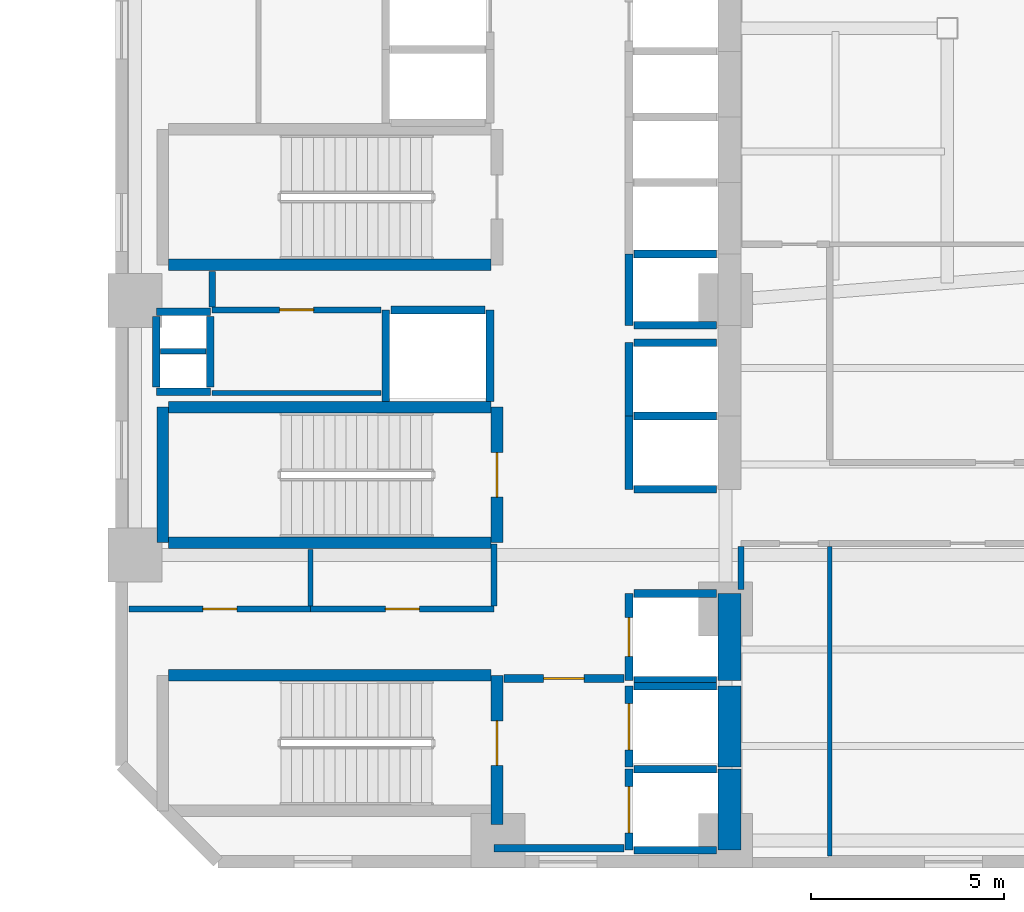
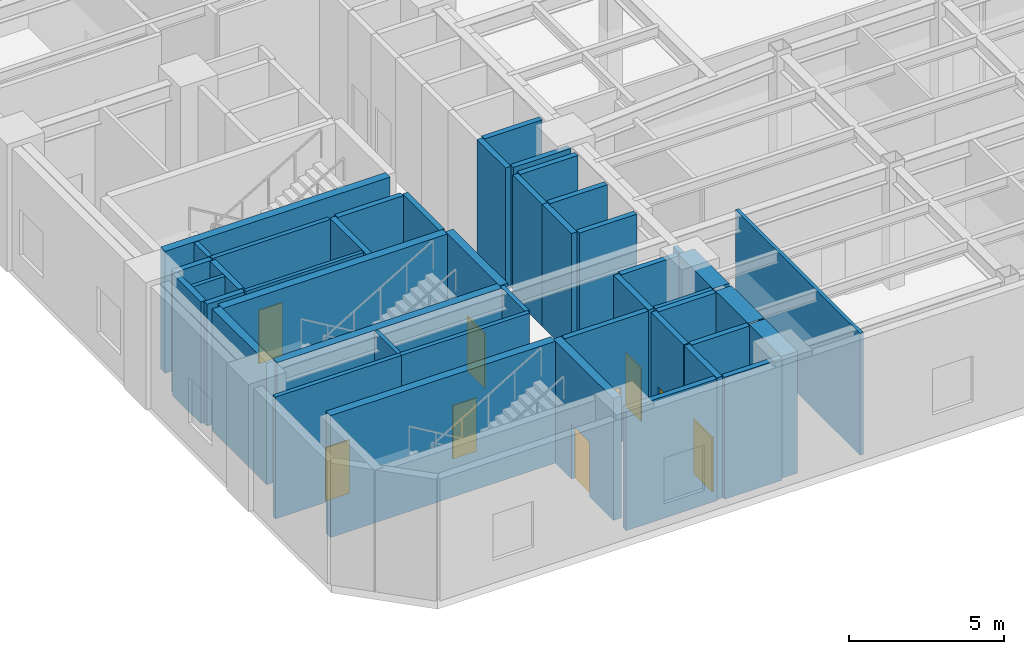
# One storey, part 3 of 10: 45 walls, 9 doors, 9 openings.
"""IFC4 building model written with IfcOpenShell, lengths in metres."""

import ifcopenshell
import ifcopenshell.guid

model = None  # the IFC model being written
_history = None  # IfcOwnerHistory: only IFC2X3 demands one
_inside = {}  # id of a spatial element -> (the spatial element, [elements in it])
_under = {}  # id of a project, library or spatial element -> (it, [spatial elements below it])
_declared = {}  # id of a project -> (the project, [libraries it declares])
_typed = {}  # id of a type object -> (the type object, [elements of that type])
_made_of = {}  # id of a material, layer set ... -> (it, [elements and type objects made of it])


def new_model(schema):
    """Start an empty IFC model of exactly this schema.

    Asked for "IFC4X3", IfcOpenShell would pick the latest addendum, in which some entities
    have other attributes; the version numbers below select the first issue.
    IFC2X3 requires an IfcOwnerHistory on every rooted entity: one is made here for all.
    """
    global model, _history
    if schema == "IFC4X3":
        model = ifcopenshell.file(schema_version=(4, 3, 0, 0))
    else:
        model = ifcopenshell.file(schema=schema)
    _inside.clear()
    _under.clear()
    _declared.clear()
    _typed.clear()
    _made_of.clear()
    _history = None
    if model.schema == "IFC2X3":
        org = make("IfcOrganization", Name="unknown")
        user = make(
            "IfcPersonAndOrganization",
            ThePerson=make("IfcPerson", FamilyName="unknown"),
            TheOrganization=org,
        )
        app = make(
            "IfcApplication",
            ApplicationDeveloper=org,
            Version="unknown",
            ApplicationFullName="unknown",
            ApplicationIdentifier="unknown",
        )
        _history = make(
            "IfcOwnerHistory",
            OwningUser=user,
            OwningApplication=app,
            ChangeAction="ADDED",
            CreationDate=0,
        )
    return model


def make(cls, **values):
    """One entity of the class cls with the attributes given. An attribute that is None is left unset."""
    return model.create_entity(
        cls, **{name: value for name, value in values.items() if value is not None}
    )


def rooted(cls, **values):
    """An entity with a GlobalId (a new one), such as an element, a storey or a relation."""
    return make(cls, GlobalId=ifcopenshell.guid.new(), OwnerHistory=_history, **values)


def si_unit(unit_type, name, prefix=None):
    """IfcSIUnit, for example si_unit("LENGTHUNIT", "METRE", prefix="MILLI")."""
    return make("IfcSIUnit", UnitType=unit_type, Prefix=prefix, Name=name)


def assignment(units):
    """IfcUnitAssignment: the units of a project."""
    return None if units is None else make("IfcUnitAssignment", Units=units)


def point(xyz):
    """IfcCartesianPoint."""
    return None if xyz is None else make("IfcCartesianPoint", Coordinates=xyz)


def direction(xyz):
    """IfcDirection."""
    return None if xyz is None else make("IfcDirection", DirectionRatios=xyz)


def frame(location, z_axis=None, x_axis=None):
    """IfcAxis2Placement3D, a coordinate frame: its origin and axes. An axis left out is left unset."""
    return make(
        "IfcAxis2Placement3D",
        Location=point(location),
        Axis=direction(z_axis),
        RefDirection=direction(x_axis),
    )


def frame_2d(location, x_axis=None):
    """IfcAxis2Placement2D, a coordinate frame in the plane: its origin and x axis."""
    return make(
        "IfcAxis2Placement2D", Location=point(location), RefDirection=direction(x_axis)
    )


def origin():
    """The frame at (0, 0, 0) with its axes left unset."""
    return frame((0.0, 0.0, 0.0))


def place(relative_to, where):
    """IfcLocalPlacement: puts the frame where relative to a parent placement (None: the world)."""
    return make(
        "IfcLocalPlacement", PlacementRelTo=relative_to, RelativePlacement=where
    )


def context(
    kind, dimensions, precision=None, world=None, true_north=None, identifier=None
):
    """IfcGeometricRepresentationContext, for example the 3D "Model" context."""
    return make(
        "IfcGeometricRepresentationContext",
        ContextIdentifier=identifier,
        ContextType=kind,
        CoordinateSpaceDimension=dimensions,
        Precision=precision,
        WorldCoordinateSystem=world,
        TrueNorth=true_north,
    )


def subcontext(parent, identifier, kind, view, scale=None):
    """IfcGeometricRepresentationSubContext, for example "Body" below "Model"."""
    return make(
        "IfcGeometricRepresentationSubContext",
        ContextIdentifier=identifier,
        ContextType=kind,
        ParentContext=parent,
        TargetScale=scale,
        TargetView=view,
    )


def project(units=None, contexts=None):
    """IfcProject with its units and contexts."""
    return rooted(
        "IfcProject",
        Name="project",
        RepresentationContexts=contexts,
        UnitsInContext=assignment(units),
    )


def spatial(cls, under=None, at=None, **own):
    """A site, building, storey or space (cls), placed at a placement, below another one or the project."""
    s = rooted(cls, ObjectPlacement=at, **own)
    if under is not None:
        _under.setdefault(under.id(), (under, []))[1].append(s)
    return s


def profile(cls, at=None, kind="AREA", **sizes):
    """A parametric profile (cls). Its sizes go by their IFC names, for example OverallWidth=200.0."""
    return make(cls, ProfileType=kind, Position=at, **sizes)


def rectangle(**sizes):
    """IfcRectangleProfileDef."""
    return profile("IfcRectangleProfileDef", **sizes)


def extrude(swept, where, along, depth):
    """IfcExtrudedAreaSolid: the profile swept, set in the frame where, extruded along a direction by depth."""
    return make(
        "IfcExtrudedAreaSolid",
        SweptArea=swept,
        Position=where,
        ExtrudedDirection=direction(along),
        Depth=depth,
    )


def shape(context_of_items, identifier, shape_type, items):
    """IfcShapeRepresentation: the items that make up one representation, for example the "Body"."""
    return make(
        "IfcShapeRepresentation",
        ContextOfItems=context_of_items,
        RepresentationIdentifier=identifier,
        RepresentationType=shape_type,
        Items=items,
    )


def material(Name=None, Category=None):
    """IfcMaterial."""
    return make("IfcMaterial", Name=Name, Category=Category)


def layer(
    of_material, thickness, ventilated=None, Name=None, Category=None, Priority=None
):
    """IfcMaterialLayer: one layer of a wall or slab, of a material (None: an air gap)."""
    return make(
        "IfcMaterialLayer",
        Material=of_material,
        LayerThickness=thickness,
        IsVentilated=ventilated,
        Name=Name,
        Category=Category,
        Priority=Priority,
    )


def layer_set(layers, Name=None):
    """IfcMaterialLayerSet."""
    return make("IfcMaterialLayerSet", MaterialLayers=layers, LayerSetName=Name)


def made_of(thing, what):
    """Note that an element or type object is made of a material, layer set ...; save() writes the relation."""
    if what is not None:
        _made_of.setdefault(what.id(), (what, []))[1].append(thing)
    return thing


def type_object(cls, material=None, **own):
    """A type object (cls), such as IfcWallType, which elements share."""
    return made_of(rooted(cls, **own), material)


def element(
    cls,
    number,
    at=None,
    inside=None,
    cuts=None,
    type_object=None,
    material=None,
    context=None,
    identifier="Body",
    shape_type=None,
    held_by="IfcProductDefinitionShape",
    body=None,
    shapes=None,
    **own,
):
    """One element of the class cls, such as IfcWall. Its Tag is "e" and its number.

    at: its placement. inside: the storey or other place that contains it. cuts: it is an
    opening in that element (IfcRelVoidsElement). A single representation is given by context,
    identifier, shape_type and body (its items); several are given by shapes. held_by: the class
    of the entity that holds the representations. save() writes the other relations.
    """
    e = rooted(cls, Tag="e%d" % number, ObjectPlacement=at, **own)
    if body is not None:
        shapes = [shape(context, identifier, shape_type, body)]
    if shapes is not None:
        e.Representation = make(held_by, Representations=shapes)
    if inside is not None:
        _inside.setdefault(inside.id(), (inside, []))[1].append(e)
    if cuts is not None:
        rooted(
            "IfcRelVoidsElement", RelatingBuildingElement=cuts, RelatedOpeningElement=e
        )
    if type_object is not None:
        _typed.setdefault(type_object.id(), (type_object, []))[1].append(e)
    return made_of(e, material)


def fill(opening, filler):
    """IfcRelFillsElement: the door or window that sits in an opening."""
    return rooted(
        "IfcRelFillsElement",
        RelatingOpeningElement=opening,
        RelatedBuildingElement=filler,
    )


def aggregate(whole, parts):
    """IfcRelAggregates: a whole, such as a stair, and the parts it consists of."""
    return rooted("IfcRelAggregates", RelatingObject=whole, RelatedObjects=parts)


def save(model, path):
    """Write the relations noted so far, then the file.

    IfcRelAggregates (storeys below a building ...), IfcRelContainedInSpatialStructure (elements
    in a storey), IfcRelDefinesByType, IfcRelAssociatesMaterial and IfcRelDeclares: one each for
    every whole, place, type object, material and project.
    """
    for whole, parts in _under.values():
        aggregate(whole, parts)
    for where, things in _inside.values():
        rooted(
            "IfcRelContainedInSpatialStructure",
            RelatedElements=things,
            RelatingStructure=where,
        )
    for kind, things in _typed.values():
        rooted("IfcRelDefinesByType", RelatedObjects=things, RelatingType=kind)
    for what, things in _made_of.values():
        rooted("IfcRelAssociatesMaterial", RelatedObjects=things, RelatingMaterial=what)
    for by, libraries in _declared.values():
        rooted("IfcRelDeclares", RelatingContext=by, RelatedDefinitions=libraries)
    model.write(path)


model = new_model("IFC4")

# Units and contexts
model_context = context("Model", 3, precision=1e-05, world=origin(), true_north=direction((0.0, 1.0)))
body_context = subcontext(model_context, "Body", "Model", "MODEL_VIEW")
ifc_project = project(units=[si_unit("LENGTHUNIT", "METRE"), si_unit("AREAUNIT", "SQUARE_METRE"), si_unit("VOLUMEUNIT", "CUBIC_METRE"), si_unit("PLANEANGLEUNIT", "RADIAN"), si_unit("MASSUNIT", "GRAM", prefix="KILO")], contexts=[model_context])

# Site, building, storey
site_placement = place(None, origin())
site = spatial("IfcSite", under=ifc_project, at=site_placement, CompositionType="ELEMENT")
building_placement = place(site_placement, origin())
building = spatial("IfcBuilding", under=site, at=building_placement, Name="Mawjaban Terraces University", CompositionType="ELEMENT")
storey_placement = place(building_placement, frame((0.0, 0.0, 26.0)))
storey = spatial("IfcBuildingStorey", under=building, at=storey_placement, Name="L05", CompositionType="ELEMENT", Elevation=26.0)

# Walls
ifc_material_1 = material(Name="Concrete C70/85", Category="concrete")
ifc_layer_1 = layer(ifc_material_1, 0.60009765625)
ifc_layer_set_1 = layer_set([ifc_layer_1], Name="Concrete C70/85")
wall_type_1 = type_object("IfcWallType", Name="CoreShearWall_600", PredefinedType="SHEAR", material=ifc_layer_set_1)
wall_1_placement = place(storey_placement, frame((37.75, 0.300048828125, 0.0), z_axis=(0.0, 0.0, 1.0), x_axis=(0.0, 1.0, 0.0)))
element("IfcWall", 1, at=wall_1_placement, inside=storey, type_object=wall_type_1, Name="L05 Lift FL-1 Hoistway Wall East", PredefinedType="SHEAR", context=body_context, shape_type="SweptSolid", body=[
    extrude(rectangle(XDim=2.099853515625, YDim=0.60009765625, at=frame_2d((1.0498046875, 0.0))), origin(), (0.0, 0.0, 1.0), 4.7900390625),
])
wall_2_placement = place(storey_placement, frame((37.75, 2.449951171875, 0.0), z_axis=(0.0, 0.0, 1.0), x_axis=(0.0, 1.0, 0.0)))
element("IfcWall", 2, at=wall_2_placement, inside=storey, type_object=wall_type_1, Name="L05 Lift FL-2 Hoistway Wall East", PredefinedType="SHEAR", context=body_context, shape_type="SweptSolid", body=[
    extrude(rectangle(XDim=2.10009765625, YDim=0.60009765625, at=frame_2d((1.050048828125, 0.0))), origin(), (0.0, 0.0, 1.0), 4.7900390625),
])
wall_3_placement = place(storey_placement, frame((37.75, 4.699951171875, 0.0), z_axis=(0.0, 0.0, 1.0), x_axis=(0.0, 1.0, 0.0)))
element("IfcWall", 3, at=wall_3_placement, inside=storey, type_object=wall_type_1, Name="L05 Lift SL-1 Hoistway Wall East", PredefinedType="SHEAR", context=body_context, shape_type="SweptSolid", body=[
    extrude(rectangle(XDim=2.25, YDim=0.60009765625, at=frame_2d((1.125, 0.0))), origin(), (0.0, 0.0, 1.0), 4.7900390625),
])

# Wall, opening, door
ifc_material_2 = material(Name="Fire-rated gypsum board on steel stud", Category="steel")
ifc_layer_2 = layer(ifc_material_2, 0.159912109375)
ifc_layer_set_2 = layer_set([ifc_layer_2], Name="Fire-rated gypsum board on steel stud")
wall_type_2 = type_object("IfcWallType", Name="CorridorPartition_160", PredefinedType="PARTITIONING", material=ifc_layer_set_2)
wall_4_placement = place(storey_placement, frame((24.35009765625, 14.300048828125, 0.0), z_axis=(0.0, 0.0, 1.0), x_axis=(1.0, 0.0, 0.0)))
wall_4 = element("IfcWall", 4, at=wall_4_placement, inside=storey, type_object=wall_type_2, Name="L05 Core Riser Access Passage Partition 2", PredefinedType="PARTITIONING", context=body_context, shape_type="SweptSolid", body=[
    extrude(rectangle(XDim=4.369873046875, YDim=0.159912109375, at=frame_2d((2.18505859375, 0.0))), origin(), (0.0, 0.0, 1.0), 4.7900390625),
])
opening_1_placement = place(wall_4_placement, frame((1.7451171875, 0.0, 0.0)))
opening_1 = element("IfcOpeningElement", 5, at=opening_1_placement, cuts=wall_4, Name="Opening ID-088", PredefinedType="OPENING", context=body_context, shape_type="SweptSolid", body=[
    extrude(rectangle(XDim=0.8798828125, YDim=2.10009765625, at=frame_2d((0.43994140625, 1.050048828125))), frame((0.0, 0.08984375, 0.0), z_axis=(0.0, -1.0, 0.0), x_axis=(1.0, 0.0, 0.0)), (0.0, 0.0, 1.0), 0.179931640625),
])
ifc_material_3 = material(Name="Powder-coated steel frame and solid acoustic timber leaf", Category="steel")
door_type_1 = type_object("IfcDoorType", Name="ToiletDoor_880x2100", OperationType="NOTDEFINED", PredefinedType="DOOR", material=ifc_material_3)
door_1_placement = place(opening_1_placement, origin())
door_1 = element("IfcDoor", 6, at=door_1_placement, inside=storey, type_object=door_type_1, Name="L05 Ablution Room Door", OperationType="SINGLE_SWING_LEFT", OverallHeight=2.10009765625, OverallWidth=0.8798828125, PredefinedType="DOOR", context=body_context, shape_type="SweptSolid", body=[
    extrude(rectangle(XDim=0.8798828125, YDim=2.10009765625, at=frame_2d((0.43994140625, 1.050048828125))), frame((0.0, 0.02490234375, 0.0), z_axis=(0.0, -1.0, 0.0), x_axis=(1.0, 0.0, 0.0)), (0.0, 0.0, 1.0), 0.050048828125),
])
fill(opening_1, door_1)

wall_5_placement = place(storey_placement, frame((26.89990234375, 6.550048828125, 0.0), z_axis=(0.0, 0.0, 1.0), x_axis=(-1.0, 0.0, 0.0)))
wall_5 = element("IfcWall", 7, at=wall_5_placement, inside=storey, type_object=wall_type_2, Name="L05 Core Washroom Lobby Partition 4", PredefinedType="PARTITIONING", context=body_context, shape_type="SweptSolid", body=[
    extrude(rectangle(XDim=4.699951171875, YDim=0.159912109375, at=frame_2d((2.35009765625, 0.0))), origin(), (0.0, 0.0, 1.0), 4.7900390625),
])
opening_2_placement = place(wall_5_placement, frame((1.909912109375, 0.0, 0.0)))
opening_2 = element("IfcOpeningElement", 8, at=opening_2_placement, cuts=wall_5, Name="Opening ID-088", PredefinedType="OPENING", context=body_context, shape_type="SweptSolid", body=[
    extrude(rectangle(XDim=0.8798828125, YDim=2.10009765625, at=frame_2d((0.43994140625, 1.050048828125))), frame((0.0, 0.08984375, 0.0), z_axis=(0.0, -1.0, 0.0), x_axis=(1.0, 0.0, 0.0)), (0.0, 0.0, 1.0), 0.179931640625),
])
door_2_placement = place(opening_2_placement, origin())
door_2 = element("IfcDoor", 9, at=door_2_placement, inside=storey, type_object=door_type_1, Name="L05 Male Toilet Door", OperationType="SINGLE_SWING_LEFT", OverallHeight=2.10009765625, OverallWidth=0.8798828125, PredefinedType="DOOR", context=body_context, shape_type="SweptSolid", body=[
    extrude(rectangle(XDim=0.8798828125, YDim=2.10009765625, at=frame_2d((0.43994140625, 1.050048828125))), frame((0.0, 0.02490234375, 0.0), z_axis=(0.0, -1.0, 0.0), x_axis=(1.0, 0.0, 0.0)), (0.0, 0.0, 1.0), 0.050048828125),
])
fill(opening_2, door_2)

wall_6_placement = place(storey_placement, frame((31.64990234375, 6.550048828125, 0.0), z_axis=(0.0, 0.0, 1.0), x_axis=(-1.0, 0.0, 0.0)))
wall_6 = element("IfcWall", 10, at=wall_6_placement, inside=storey, type_object=wall_type_2, Name="L05 Core Washroom Lobby Partition 11", PredefinedType="PARTITIONING", context=body_context, shape_type="SweptSolid", body=[
    extrude(rectangle(XDim=4.75, YDim=0.159912109375, at=frame_2d((2.375, 0.0))), origin(), (0.0, 0.0, 1.0), 4.7900390625),
])
opening_3_placement = place(wall_6_placement, frame((1.93505859375, 0.0, 0.0)))
opening_3 = element("IfcOpeningElement", 11, at=opening_3_placement, cuts=wall_6, Name="Opening ID-088", PredefinedType="OPENING", context=body_context, shape_type="SweptSolid", body=[
    extrude(rectangle(XDim=0.8798828125, YDim=2.10009765625, at=frame_2d((0.43994140625, 1.050048828125))), frame((0.0, 0.08984375, 0.0), z_axis=(0.0, -1.0, 0.0), x_axis=(1.0, 0.0, 0.0)), (0.0, 0.0, 1.0), 0.179931640625),
])
door_3_placement = place(opening_3_placement, origin())
door_3 = element("IfcDoor", 12, at=door_3_placement, inside=storey, type_object=door_type_1, Name="L05 Accessible Toilet Door", OperationType="SINGLE_SWING_RIGHT", OverallHeight=2.10009765625, OverallWidth=0.8798828125, PredefinedType="DOOR", context=body_context, shape_type="SweptSolid", body=[
    extrude(rectangle(XDim=0.8798828125, YDim=2.10009765625, at=frame_2d((0.43994140625, 1.050048828125))), frame((0.0, 0.02490234375, 0.0), z_axis=(0.0, -1.0, 0.0), x_axis=(1.0, 0.0, 0.0)), (0.0, 0.0, 1.0), 0.050048828125),
])
fill(opening_3, door_3)

# Walls
wall_7_placement = place(storey_placement, frame((24.35009765625, 15.2900390625, 0.0), z_axis=(0.0, 0.0, 1.0), x_axis=(0.0, -1.0, 0.0)))
element("IfcWall", 13, at=wall_7_placement, inside=storey, type_object=wall_type_2, Name="L05 Core Riser Access Passage Partition 29", PredefinedType="PARTITIONING", context=body_context, shape_type="SweptSolid", body=[
    extrude(rectangle(XDim=0.9150390625, YDim=0.159912109375, at=frame_2d((0.45751953125, 0.0))), origin(), (0.0, 0.0, 1.0), 4.7900390625),
])
wall_8_placement = place(storey_placement, frame((31.64990234375, 8.239990234375, 0.0), z_axis=(0.0, 0.0, 1.0), x_axis=(0.0, -1.0, 0.0)))
element("IfcWall", 14, at=wall_8_placement, inside=storey, type_object=wall_type_2, Name="L05 Passenger Lift Lobby Partition 39", PredefinedType="PARTITIONING", context=body_context, shape_type="SweptSolid", body=[
    extrude(rectangle(XDim=1.614990234375, YDim=0.159912109375, at=frame_2d((0.8076171875, 0.0))), origin(), (0.0, 0.0, 1.0), 4.7900390625),
])
wall_9_placement = place(storey_placement, frame((38.050048828125, 7.050048828125, 0.0), z_axis=(0.0, 0.0, 1.0), x_axis=(0.0, 1.0, 0.0)))
element("IfcWall", 15, at=wall_9_placement, inside=storey, type_object=wall_type_2, Name="L05 Core Stair and Lift Lobby East Partition 43", PredefinedType="PARTITIONING", context=body_context, shape_type="SweptSolid", body=[
    extrude(rectangle(XDim=1.125, YDim=0.159912109375, at=frame_2d((0.5625, 0.0))), origin(), (0.0, 0.0, 1.0), 4.155029296875),
])

# Wall, opening, door
ifc_material_4 = material(Name="Concrete C40/50", Category="concrete")
ifc_layer_3 = layer(ifc_material_4, 0.199951171875)
ifc_layer_set_3 = layer_set([ifc_layer_3], Name="Concrete C40/50")
wall_type_3 = type_object("IfcWallType", Name="FireLobbyWall_200", PredefinedType="SOLIDWALL", material=ifc_layer_set_3)
wall_10_placement = place(storey_placement, frame((35.14990234375, 2.39990234375, 0.0), z_axis=(0.0, 0.0, 1.0), x_axis=(0.0, -1.0, 0.0)))
wall_10 = element("IfcWall", 16, at=wall_10_placement, inside=storey, type_object=wall_type_3, Name="L05 Lift FL-1 Hoistway Wall West", PredefinedType="SOLIDWALL", context=body_context, shape_type="SweptSolid", body=[
    extrude(rectangle(XDim=2.099853515625, YDim=0.199951171875, at=frame_2d((1.0498046875, 0.0))), origin(), (0.0, 0.0, 1.0), 4.7900390625),
])
opening_4_placement = place(wall_10_placement, frame((0.449951171875, 0.0, 0.0)))
opening_4 = element("IfcOpeningElement", 17, at=opening_4_placement, cuts=wall_10, Name="Opening LD-FL-1", PredefinedType="OPENING", context=body_context, shape_type="SweptSolid", body=[
    extrude(rectangle(XDim=1.199951171875, YDim=2.14990234375, at=frame_2d((0.60009765625, 1.074951171875))), frame((0.0, 0.10986328125, 0.0), z_axis=(0.0, -1.0, 0.0), x_axis=(1.0, 0.0, 0.0)), (0.0, 0.0, 1.0), 0.219970703125),
])
ifc_material_5 = material(Name="Powder-coated steel frame and fire-rated steel-faced leaf", Category="steel")
door_type_2 = type_object("IfcDoorType", Name="LiftLandingFSAE_1200x2150", OperationType="NOTDEFINED", PredefinedType="DOOR", material=ifc_material_5)
door_4_placement = place(opening_4_placement, origin())
door_4 = element("IfcDoor", 18, at=door_4_placement, inside=storey, type_object=door_type_2, Name="L05 Lift FL-1 Sliding Landing Door", OperationType="DOUBLE_DOOR_SLIDING", OverallHeight=2.14990234375, OverallWidth=1.199951171875, PredefinedType="DOOR", context=body_context, shape_type="SweptSolid", body=[
    extrude(rectangle(XDim=1.199951171875, YDim=2.14990234375, at=frame_2d((0.60009765625, 1.074951171875))), frame((0.0, 0.02490234375, 0.0), z_axis=(0.0, -1.0, 0.0), x_axis=(1.0, 0.0, 0.0)), (0.0, 0.0, 1.0), 0.050048828125),
])
fill(opening_4, door_4)

# Walls
for number, where, z_axis, x_axis, name in (
    (19, (35.280029296875, 0.300048828125, 0.0), (0.0, 0.0, 1.0), (1.0, 0.0, 0.0), "L05 Lift FL-1 Hoistway Wall South"),
    (20, (37.419921875, 2.39990234375, 0.0), (0.0, 0.0, 1.0), (-1.0, 0.0, 0.0), "L05 Lift FL-1 Hoistway Wall North"),
):
    element("IfcWall", number, at=place(storey_placement, frame(where, z_axis=z_axis, x_axis=x_axis)), inside=storey, type_object=wall_type_3, Name=name, PredefinedType="SOLIDWALL", context=body_context, shape_type="SweptSolid", body=[
        extrude(rectangle(XDim=2.139892578125, YDim=0.199951171875, at=frame_2d((1.06982421875, 0.0))), origin(), (0.0, 0.0, 1.0), 4.7900390625),
    ])

# Wall, opening, door
wall_11_placement = place(storey_placement, frame((35.14990234375, 4.550048828125, 0.0), z_axis=(0.0, 0.0, 1.0), x_axis=(0.0, -1.0, 0.0)))
wall_11 = element("IfcWall", 21, at=wall_11_placement, inside=storey, type_object=wall_type_3, Name="L05 Lift FL-2 Hoistway Wall West", PredefinedType="SOLIDWALL", context=body_context, shape_type="SweptSolid", body=[
    extrude(rectangle(XDim=2.10009765625, YDim=0.199951171875, at=frame_2d((1.050048828125, 0.0))), origin(), (0.0, 0.0, 1.0), 4.7900390625),
])
opening_5_placement = place(wall_11_placement, frame((0.449951171875, 0.0, 0.0)))
opening_5 = element("IfcOpeningElement", 22, at=opening_5_placement, cuts=wall_11, Name="Opening LD-FL-2", PredefinedType="OPENING", context=body_context, shape_type="SweptSolid", body=[
    extrude(rectangle(XDim=1.199951171875, YDim=2.14990234375, at=frame_2d((0.60009765625, 1.074951171875))), frame((0.0, 0.10986328125, 0.0), z_axis=(0.0, -1.0, 0.0), x_axis=(1.0, 0.0, 0.0)), (0.0, 0.0, 1.0), 0.219970703125),
])
door_5_placement = place(opening_5_placement, origin())
door_5 = element("IfcDoor", 23, at=door_5_placement, inside=storey, type_object=door_type_2, Name="L05 Lift FL-2 Sliding Landing Door", OperationType="DOUBLE_DOOR_SLIDING", OverallHeight=2.14990234375, OverallWidth=1.199951171875, PredefinedType="DOOR", context=body_context, shape_type="SweptSolid", body=[
    extrude(rectangle(XDim=1.199951171875, YDim=2.14990234375, at=frame_2d((0.60009765625, 1.074951171875))), frame((0.0, 0.02490234375, 0.0), z_axis=(0.0, -1.0, 0.0), x_axis=(1.0, 0.0, 0.0)), (0.0, 0.0, 1.0), 0.050048828125),
])
fill(opening_5, door_5)

# Wall
wall_12_placement = place(storey_placement, frame((37.419921875, 4.550048828125, 0.0), z_axis=(0.0, 0.0, 1.0), x_axis=(-1.0, 0.0, 0.0)))
element("IfcWall", 24, at=wall_12_placement, inside=storey, type_object=wall_type_3, Name="L05 Lift FL-2 Hoistway Wall North", PredefinedType="SOLIDWALL", context=body_context, shape_type="SweptSolid", body=[
    extrude(rectangle(XDim=2.139892578125, YDim=0.199951171875, at=frame_2d((1.06982421875, 0.0))), origin(), (0.0, 0.0, 1.0), 4.7900390625),
])

# Wall, opening, door
wall_13_placement = place(storey_placement, frame((35.14990234375, 6.949951171875, 0.0), z_axis=(0.0, 0.0, 1.0), x_axis=(0.0, -1.0, 0.0)))
wall_13 = element("IfcWall", 25, at=wall_13_placement, inside=storey, type_object=wall_type_3, Name="L05 Lift SL-1 Hoistway Wall West", PredefinedType="SOLIDWALL", context=body_context, shape_type="SweptSolid", body=[
    extrude(rectangle(XDim=2.25, YDim=0.199951171875, at=frame_2d((1.125, 0.0))), origin(), (0.0, 0.0, 1.0), 4.7900390625),
])
opening_6_placement = place(wall_13_placement, frame((0.625, 0.0, 0.0)))
opening_6 = element("IfcOpeningElement", 26, at=opening_6_placement, cuts=wall_13, Name="Opening LD-SL-1", PredefinedType="OPENING", context=body_context, shape_type="SweptSolid", body=[
    extrude(rectangle(XDim=1.0, YDim=2.10009765625, at=frame_2d((0.5, 1.050048828125))), frame((0.0, 0.10986328125, 0.0), z_axis=(0.0, -1.0, 0.0), x_axis=(1.0, 0.0, 0.0)), (0.0, 0.0, 1.0), 0.219970703125),
])
door_type_3 = type_object("IfcDoorType", Name="LiftLandingSliding_1000x2100", OperationType="NOTDEFINED", PredefinedType="DOOR", material=ifc_material_5)
door_6_placement = place(opening_6_placement, origin())
door_6 = element("IfcDoor", 27, at=door_6_placement, inside=storey, type_object=door_type_3, Name="L05 Lift SL-1 Sliding Landing Door", OperationType="DOUBLE_DOOR_SLIDING", OverallHeight=2.10009765625, OverallWidth=1.0, PredefinedType="DOOR", context=body_context, shape_type="SweptSolid", body=[
    extrude(rectangle(XDim=1.0, YDim=2.10009765625, at=frame_2d((0.5, 1.050048828125))), frame((0.0, 0.02490234375, 0.0), z_axis=(0.0, -1.0, 0.0), x_axis=(1.0, 0.0, 0.0)), (0.0, 0.0, 1.0), 0.050048828125),
])
fill(opening_6, door_6)

# Walls
for number, where, z_axis, x_axis, name in (
    (28, (35.280029296875, 4.699951171875, 0.0), (0.0, 0.0, 1.0), (1.0, 0.0, 0.0), "L05 Lift SL-1 Hoistway Wall South"),
    (29, (37.419921875, 6.949951171875, 0.0), (0.0, 0.0, 1.0), (-1.0, 0.0, 0.0), "L05 Lift SL-1 Hoistway Wall North"),
):
    element("IfcWall", number, at=place(storey_placement, frame(where, z_axis=z_axis, x_axis=x_axis)), inside=storey, type_object=wall_type_3, Name=name, PredefinedType="SOLIDWALL", context=body_context, shape_type="SweptSolid", body=[
        extrude(rectangle(XDim=2.139892578125, YDim=0.199951171875, at=frame_2d((1.06982421875, 0.0))), origin(), (0.0, 0.0, 1.0), 4.7900390625),
    ])
wall_14_placement = place(storey_placement, frame((35.14990234375, 11.550048828125, 0.0), z_axis=(0.0, 0.0, 1.0), x_axis=(0.0, -1.0, 0.0)))
element("IfcWall", 30, at=wall_14_placement, inside=storey, type_object=wall_type_3, Name="L05 Lift PL-H1 Hoistway Wall West", PredefinedType="SOLIDWALL", context=body_context, shape_type="SweptSolid", body=[
    extrude(rectangle(XDim=1.900146484375, YDim=0.199951171875, at=frame_2d((0.9501953125, 0.0))), origin(), (0.0, 0.0, 1.0), 4.7900390625),
])
for number, where, z_axis, x_axis, name in (
    (31, (35.280029296875, 9.64990234375, 0.0), (0.0, 0.0, 1.0), (1.0, 0.0, 0.0), "L05 Lift PL-H1 Hoistway Wall South"),
    (32, (37.419921875, 11.550048828125, 0.0), (0.0, 0.0, 1.0), (-1.0, 0.0, 0.0), "L05 Lift PL-H1 Hoistway Wall North"),
):
    element("IfcWall", number, at=place(storey_placement, frame(where, z_axis=z_axis, x_axis=x_axis)), inside=storey, type_object=wall_type_3, Name=name, PredefinedType="SOLIDWALL", context=body_context, shape_type="SweptSolid", body=[
        extrude(rectangle(XDim=2.139892578125, YDim=0.199951171875, at=frame_2d((1.06982421875, 0.0))), origin(), (0.0, 0.0, 1.0), 4.7900390625),
    ])
wall_15_placement = place(storey_placement, frame((35.14990234375, 13.449951171875, 0.0), z_axis=(0.0, 0.0, 1.0), x_axis=(0.0, -1.0, 0.0)))
element("IfcWall", 33, at=wall_15_placement, inside=storey, type_object=wall_type_3, Name="L05 Lift PL-H2 Hoistway Wall West", PredefinedType="SOLIDWALL", context=body_context, shape_type="SweptSolid", body=[
    extrude(rectangle(XDim=1.89990234375, YDim=0.199951171875, at=frame_2d((0.949951171875, 0.0))), origin(), (0.0, 0.0, 1.0), 4.7900390625),
])
wall_16_placement = place(storey_placement, frame((37.419921875, 13.449951171875, 0.0), z_axis=(0.0, 0.0, 1.0), x_axis=(-1.0, 0.0, 0.0)))
element("IfcWall", 34, at=wall_16_placement, inside=storey, type_object=wall_type_3, Name="L05 Lift PL-H2 Hoistway Wall North", PredefinedType="SOLIDWALL", context=body_context, shape_type="SweptSolid", body=[
    extrude(rectangle(XDim=2.139892578125, YDim=0.199951171875, at=frame_2d((1.06982421875, 0.0))), origin(), (0.0, 0.0, 1.0), 4.7900390625),
])
for number, where, z_axis, x_axis, name in (
    (35, (28.85009765625, 14.300048828125, 0.0), (0.0, 0.0, 1.0), (0.0, -1.0, 0.0), "L05 Lift PL-H3 Hoistway Wall West"),
    (36, (31.550048828125, 11.929931640625, 0.0), (0.0, 0.0, 1.0), (0.0, 1.0, 0.0), "L05 Lift PL-H3 Hoistway Wall East"),
):
    element("IfcWall", number, at=place(storey_placement, frame(where, z_axis=z_axis, x_axis=x_axis)), inside=storey, type_object=wall_type_3, Name=name, PredefinedType="SOLIDWALL", context=body_context, shape_type="SweptSolid", body=[
        extrude(rectangle(XDim=2.3701171875, YDim=0.199951171875, at=frame_2d((1.18505859375, 0.0))), origin(), (0.0, 0.0, 1.0), 4.7900390625),
    ])
wall_17_placement = place(storey_placement, frame((31.419921875, 14.300048828125, 0.0), z_axis=(0.0, 0.0, 1.0), x_axis=(-1.0, 0.0, 0.0)))
element("IfcWall", 37, at=wall_17_placement, inside=storey, type_object=wall_type_3, Name="L05 Lift PL-H3 Hoistway Wall North", PredefinedType="SOLIDWALL", context=body_context, shape_type="SweptSolid", body=[
    extrude(rectangle(XDim=2.43994140625, YDim=0.199951171875, at=frame_2d((1.219970703125, 0.0))), origin(), (0.0, 0.0, 1.0), 4.7900390625),
])
wall_18_placement = place(storey_placement, frame((35.14990234375, 15.75, 0.0), z_axis=(0.0, 0.0, 1.0), x_axis=(0.0, -1.0, 0.0)))
element("IfcWall", 38, at=wall_18_placement, inside=storey, type_object=wall_type_3, Name="L05 Lift OL-1 Hoistway Wall West", PredefinedType="SOLIDWALL", context=body_context, shape_type="SweptSolid", body=[
    extrude(rectangle(XDim=1.85009765625, YDim=0.199951171875, at=frame_2d((0.925048828125, 0.0))), origin(), (0.0, 0.0, 1.0), 4.7900390625),
])
for number, where, z_axis, x_axis, name in (
    (39, (35.280029296875, 13.89990234375, 0.0), (0.0, 0.0, 1.0), (1.0, 0.0, 0.0), "L05 Lift OL-1 Hoistway Wall South"),
    (40, (37.419921875, 15.75, 0.0), (0.0, 0.0, 1.0), (-1.0, 0.0, 0.0), "L05 Lift OL-1 Hoistway Wall North"),
):
    element("IfcWall", number, at=place(storey_placement, frame(where, z_axis=z_axis, x_axis=x_axis)), inside=storey, type_object=wall_type_3, Name=name, PredefinedType="SOLIDWALL", context=body_context, shape_type="SweptSolid", body=[
        extrude(rectangle(XDim=2.139892578125, YDim=0.199951171875, at=frame_2d((1.06982421875, 0.0))), origin(), (0.0, 0.0, 1.0), 4.7900390625),
    ])
for number, where, z_axis, x_axis, name in (
    (41, (22.89990234375, 14.25, 0.0), (0.0, 0.0, 1.0), (1.0, 0.0, 0.0), "L05 MEP Riser Shaft Wall N"),
    (42, (22.89990234375, 12.179931640625, 0.0), (0.0, 0.0, 1.0), (1.0, 0.0, 0.0), "L05 MEP Riser Shaft Wall S"),
):
    element("IfcWall", number, at=place(storey_placement, frame(where, z_axis=z_axis, x_axis=x_axis)), inside=storey, type_object=wall_type_3, Name=name, PredefinedType="SOLIDWALL", context=body_context, shape_type="SweptSolid", body=[
        extrude(rectangle(XDim=1.400146484375, YDim=0.199951171875, at=frame_2d((0.7001953125, 0.0))), origin(), (0.0, 0.0, 1.0), 4.7900390625),
    ])
for number, where, z_axis, x_axis, name in (
    (43, (24.300048828125, 12.300048828125, 0.0), (0.0, 0.0, 1.0), (0.0, 1.0, 0.0), "L05 MEP Riser Shaft Wall E"),
    (44, (22.89990234375, 12.300048828125, 0.0), (0.0, 0.0, 1.0), (0.0, 1.0, 0.0), "L05 MEP Riser Shaft Wall W"),
):
    element("IfcWall", number, at=place(storey_placement, frame(where, z_axis=z_axis, x_axis=x_axis)), inside=storey, type_object=wall_type_3, Name=name, PredefinedType="SOLIDWALL", context=body_context, shape_type="SweptSolid", body=[
        extrude(rectangle(XDim=1.829833984375, YDim=0.199951171875, at=frame_2d((0.9150390625, 0.0))), origin(), (0.0, 0.0, 1.0), 4.7900390625),
    ])
wall_19_placement = place(storey_placement, frame((31.64990234375, 0.35009765625, 0.0), z_axis=(0.0, 0.0, 1.0), x_axis=(1.0, 0.0, 0.0)))
element("IfcWall", 45, at=wall_19_placement, inside=storey, type_object=wall_type_3, Name="L05 Firefighting Lift Lobby Partition 10", PredefinedType="SOLIDWALL", context=body_context, shape_type="SweptSolid", body=[
    extrude(rectangle(XDim=3.3701171875, YDim=0.199951171875, at=frame_2d((1.68505859375, 0.0))), origin(), (0.0, 0.0, 1.0), 4.7900390625),
])

# Wall, opening, door
wall_20_placement = place(storey_placement, frame((35.02001953125, 4.75, 0.0), z_axis=(0.0, 0.0, 1.0), x_axis=(-1.0, 0.0, 0.0)))
wall_20 = element("IfcWall", 46, at=wall_20_placement, inside=storey, type_object=wall_type_3, Name="L05 Firefighting Lift Lobby Partition 12", PredefinedType="SOLIDWALL", context=body_context, shape_type="SweptSolid", body=[
    extrude(rectangle(XDim=3.110107421875, YDim=0.199951171875, at=frame_2d((1.55517578125, 0.0))), origin(), (0.0, 0.0, 1.0), 4.7900390625),
])
opening_7_placement = place(wall_20_placement, frame((1.030029296875, 0.0, 0.0)))
opening_7 = element("IfcOpeningElement", 47, at=opening_7_placement, cuts=wall_20, Name="Opening FD-105", PredefinedType="OPENING", context=body_context, shape_type="SweptSolid", body=[
    extrude(rectangle(XDim=1.050048828125, YDim=2.14990234375, at=frame_2d((0.52490234375, 1.074951171875))), frame((0.0, 0.10986328125, 0.0), z_axis=(0.0, -1.0, 0.0), x_axis=(1.0, 0.0, 0.0)), (0.0, 0.0, 1.0), 0.219970703125),
])
door_type_4 = type_object("IfcDoorType", Name="FireLobbyDoor_1050x2150", OperationType="NOTDEFINED", PredefinedType="DOOR", material=ifc_material_5)
door_7_placement = place(opening_7_placement, origin())
door_7 = element("IfcDoor", 48, at=door_7_placement, inside=storey, type_object=door_type_4, Name="L05 Firefighting Lift Lobby Door", OperationType="SINGLE_SWING_RIGHT", OverallHeight=2.14990234375, OverallWidth=1.050048828125, PredefinedType="DOOR", context=body_context, shape_type="SweptSolid", body=[
    extrude(rectangle(XDim=1.050048828125, YDim=2.14990234375, at=frame_2d((0.52490234375, 1.074951171875))), frame((0.0, 0.02490234375, 0.0), z_axis=(0.0, -1.0, 0.0), x_axis=(1.0, 0.0, 0.0)), (0.0, 0.0, 1.0), 0.050048828125),
])
fill(opening_7, door_7)

# Walls
ifc_material_6 = material(Name="Moisture-resistant gypsum board on steel stud", Category="steel")
ifc_layer_4 = layer(ifc_material_6, 0.14501953125)
ifc_layer_set_4 = layer_set([ifc_layer_4], Name="Moisture-resistant gypsum board on steel stud")
wall_type_4 = type_object("IfcWallType", Name="LabPartition_145", PredefinedType="PARTITIONING", material=ifc_layer_set_4)
wall_21_placement = place(storey_placement, frame((23.010009765625, 13.22509765625, 0.0), z_axis=(0.0, 0.0, 1.0), x_axis=(1.0, 0.0, 0.0)))
element("IfcWall", 49, at=wall_21_placement, inside=storey, type_object=wall_type_4, Name="L05 MEP Riser Shaft Wall M", PredefinedType="PARTITIONING", context=body_context, shape_type="SweptSolid", body=[
    extrude(rectangle(XDim=1.179931640625, YDim=0.14501953125, at=frame_2d((0.58984375, 0.0))), origin(), (0.0, 0.0, 1.0), 4.7900390625),
])
ifc_material_7 = material(Name="Gypsum plasterboard on steel stud", Category="steel")
ifc_layer_5 = layer(ifc_material_7, 0.125)
ifc_layer_set_5 = layer_set([ifc_layer_5], Name="Gypsum plasterboard on steel stud")
wall_type_5 = type_object("IfcWallType", Name="OfficePartition_125", PredefinedType="PARTITIONING", material=ifc_layer_set_5)
wall_22_placement = place(storey_placement, frame((40.35009765625, 0.155029296875, 0.0), z_axis=(0.0, 0.0, 1.0), x_axis=(0.0, 1.0, 0.0)))
element("IfcWall", 50, at=wall_22_placement, inside=storey, type_object=wall_type_5, Name="L05 Classroom 1 Partition 45", PredefinedType="PARTITIONING", context=body_context, shape_type="SweptSolid", body=[
    extrude(rectangle(XDim=8.02001953125, YDim=0.125, at=frame_2d((4.010009765625, 0.0))), origin(), (0.0, 0.0, 1.0), 4.7900390625),
])
ifc_material_8 = material(Name="Concrete C60/75", Category="concrete")
ifc_layer_6 = layer(ifc_material_8, 0.300048828125)
ifc_layer_set_6 = layer_set([ifc_layer_6], Name="Concrete C60/75")
wall_type_6 = type_object("IfcWallType", Name="StairShaftWall_300", PredefinedType="SHEAR", material=ifc_layer_set_6)
wall_23_placement = place(storey_placement, frame((31.580078125, 4.830078125, 0.0), z_axis=(0.0, 0.0, 1.0), x_axis=(-1.0, 0.0, 0.0)))
element("IfcWall", 51, at=wall_23_placement, inside=storey, type_object=wall_type_6, Name="L05 ST-1 Stair Shaft Wall 1", PredefinedType="SHEAR", context=body_context, shape_type="SweptSolid", body=[
    extrude(rectangle(XDim=8.360107421875, YDim=0.300048828125, at=frame_2d((4.18017578125, 0.0))), origin(), (0.0, 0.0, 1.0), 4.7900390625),
])

# Wall, opening, door
wall_24_placement = place(storey_placement, frame((31.72998046875, 0.9599609375, 0.0), z_axis=(0.0, 0.0, 1.0), x_axis=(0.0, 1.0, 0.0)))
wall_24 = element("IfcWall", 52, at=wall_24_placement, inside=storey, type_object=wall_type_6, Name="L05 ST-1 Stair Shaft Wall 4", PredefinedType="SHEAR", context=body_context, shape_type="SweptSolid", body=[
    extrude(rectangle(XDim=3.8701171875, YDim=0.300048828125, at=frame_2d((1.93505859375, 0.0))), origin(), (0.0, 0.0, 1.0), 4.7900390625),
])
opening_8_placement = place(wall_24_placement, frame((1.5400390625, 0.0, 0.0)))
opening_8 = element("IfcOpeningElement", 53, at=opening_8_placement, cuts=wall_24, Name="Opening FD-115", PredefinedType="OPENING", context=body_context, shape_type="SweptSolid", body=[
    extrude(rectangle(XDim=1.14990234375, YDim=2.14990234375, at=frame_2d((0.574951171875, 1.074951171875))), frame((0.0, 0.159912109375, 0.0), z_axis=(0.0, -1.0, 0.0), x_axis=(1.0, 0.0, 0.0)), (0.0, 0.0, 1.0), 0.320068359375),
])
door_type_5 = type_object("IfcDoorType", Name="FireStairDoor_1150x2150", OperationType="NOTDEFINED", PredefinedType="DOOR", material=ifc_material_5)
door_8_placement = place(opening_8_placement, origin())
door_8 = element("IfcDoor", 54, at=door_8_placement, inside=storey, type_object=door_type_5, Name="L05 ST-1 Pressurised Stair Fire Door", OperationType="SINGLE_SWING_LEFT", OverallHeight=2.14990234375, OverallWidth=1.14990234375, PredefinedType="DOOR", context=body_context, shape_type="SweptSolid", body=[
    extrude(rectangle(XDim=1.14990234375, YDim=2.14990234375, at=frame_2d((0.574951171875, 1.074951171875))), frame((0.0, 0.02490234375, 0.0), z_axis=(0.0, -1.0, 0.0), x_axis=(1.0, 0.0, 0.0)), (0.0, 0.0, 1.0), 0.050048828125),
])
fill(opening_8, door_8)

# Walls
for number, where, z_axis, x_axis, name in (
    (55, (23.219970703125, 15.469970703125, 0.0), (0.0, 0.0, 1.0), (1.0, 0.0, 0.0), "L05 ST-2 Stair Shaft Wall 3"),
    (56, (31.580078125, 11.780029296875, 0.0), (0.0, 0.0, 1.0), (-1.0, 0.0, 0.0), "L05 ST-3 Stair Shaft Wall 1"),
):
    element("IfcWall", number, at=place(storey_placement, frame(where, z_axis=z_axis, x_axis=x_axis)), inside=storey, type_object=wall_type_6, Name=name, PredefinedType="SHEAR", context=body_context, shape_type="SweptSolid", body=[
        extrude(rectangle(XDim=8.360107421875, YDim=0.300048828125, at=frame_2d((4.18017578125, 0.0))), origin(), (0.0, 0.0, 1.0), 4.7900390625),
    ])
wall_25_placement = place(storey_placement, frame((23.070068359375, 11.780029296875, 0.0), z_axis=(0.0, 0.0, 1.0), x_axis=(0.0, -1.0, 0.0)))
element("IfcWall", 57, at=wall_25_placement, inside=storey, type_object=wall_type_6, Name="L05 ST-3 Stair Shaft Wall 2", PredefinedType="SHEAR", context=body_context, shape_type="SweptSolid", body=[
    extrude(rectangle(XDim=3.510009765625, YDim=0.300048828125, at=frame_2d((1.7548828125, 0.0))), origin(), (0.0, 0.0, 1.0), 4.7900390625),
])
wall_26_placement = place(storey_placement, frame((23.219970703125, 8.27001953125, 0.0), z_axis=(0.0, 0.0, 1.0), x_axis=(1.0, 0.0, 0.0)))
element("IfcWall", 58, at=wall_26_placement, inside=storey, type_object=wall_type_6, Name="L05 ST-3 Stair Shaft Wall 3", PredefinedType="SHEAR", context=body_context, shape_type="SweptSolid", body=[
    extrude(rectangle(XDim=8.360107421875, YDim=0.300048828125, at=frame_2d((4.18017578125, 0.0))), origin(), (0.0, 0.0, 1.0), 4.7900390625),
])

# Wall, opening, door
wall_27_placement = place(storey_placement, frame((31.72998046875, 8.27001953125, 0.0), z_axis=(0.0, 0.0, 1.0), x_axis=(0.0, 1.0, 0.0)))
wall_27 = element("IfcWall", 59, at=wall_27_placement, inside=storey, type_object=wall_type_6, Name="L05 ST-3 Stair Shaft Wall 4", PredefinedType="SHEAR", context=body_context, shape_type="SweptSolid", body=[
    extrude(rectangle(XDim=3.510009765625, YDim=0.300048828125, at=frame_2d((1.7548828125, 0.0))), origin(), (0.0, 0.0, 1.0), 4.7900390625),
])
opening_9_placement = place(wall_27_placement, frame((1.179931640625, 0.0, 0.0)))
opening_9 = element("IfcOpeningElement", 60, at=opening_9_placement, cuts=wall_27, Name="Opening FD-115", PredefinedType="OPENING", context=body_context, shape_type="SweptSolid", body=[
    extrude(rectangle(XDim=1.14990234375, YDim=2.14990234375, at=frame_2d((0.574951171875, 1.074951171875))), frame((0.0, 0.159912109375, 0.0), z_axis=(0.0, -1.0, 0.0), x_axis=(1.0, 0.0, 0.0)), (0.0, 0.0, 1.0), 0.320068359375),
])
door_9_placement = place(opening_9_placement, origin())
door_9 = element("IfcDoor", 61, at=door_9_placement, inside=storey, type_object=door_type_5, Name="L05 ST-3 Pressurised Stair Fire Door", OperationType="SINGLE_SWING_LEFT", OverallHeight=2.14990234375, OverallWidth=1.14990234375, PredefinedType="DOOR", context=body_context, shape_type="SweptSolid", body=[
    extrude(rectangle(XDim=1.14990234375, YDim=2.14990234375, at=frame_2d((0.574951171875, 1.074951171875))), frame((0.0, 0.02490234375, 0.0), z_axis=(0.0, -1.0, 0.0), x_axis=(1.0, 0.0, 0.0)), (0.0, 0.0, 1.0), 0.050048828125),
])
fill(opening_9, door_9)

# Walls
ifc_material_9 = material(Name="Cement-board wet-room partition", Category="masonry")
ifc_layer_7 = layer(ifc_material_9, 0.135009765625)
ifc_layer_set_7 = layer_set([ifc_layer_7], Name="Cement-board wet-room partition")
wall_type_7 = type_object("IfcWallType", Name="WetRoomPartition_135", PredefinedType="PARTITIONING", material=ifc_layer_set_7)
wall_28_placement = place(storey_placement, frame((24.35009765625, 12.14990234375, 0.0), z_axis=(0.0, 0.0, 1.0), x_axis=(1.0, 0.0, 0.0)))
element("IfcWall", 62, at=wall_28_placement, inside=storey, type_object=wall_type_7, Name="L05 Ablution Room Partition 1", PredefinedType="PARTITIONING", context=body_context, shape_type="SweptSolid", body=[
    extrude(rectangle(XDim=4.369873046875, YDim=0.135009765625, at=frame_2d((2.18505859375, 0.0))), origin(), (0.0, 0.0, 1.0), 4.7900390625),
])
wall_29_placement = place(storey_placement, frame((26.89990234375, 6.625, 0.0), z_axis=(0.0, 0.0, 1.0), x_axis=(0.0, 1.0, 0.0)))
element("IfcWall", 63, at=wall_29_placement, inside=storey, type_object=wall_type_7, Name="L05 Male Toilet Partition 31", PredefinedType="PARTITIONING", context=body_context, shape_type="SweptSolid", body=[
    extrude(rectangle(XDim=1.465087890625, YDim=0.135009765625, at=frame_2d((0.732421875, 0.0))), origin(), (0.0, 0.0, 1.0), 4.7900390625),
])

save(model, "model.ifc")
